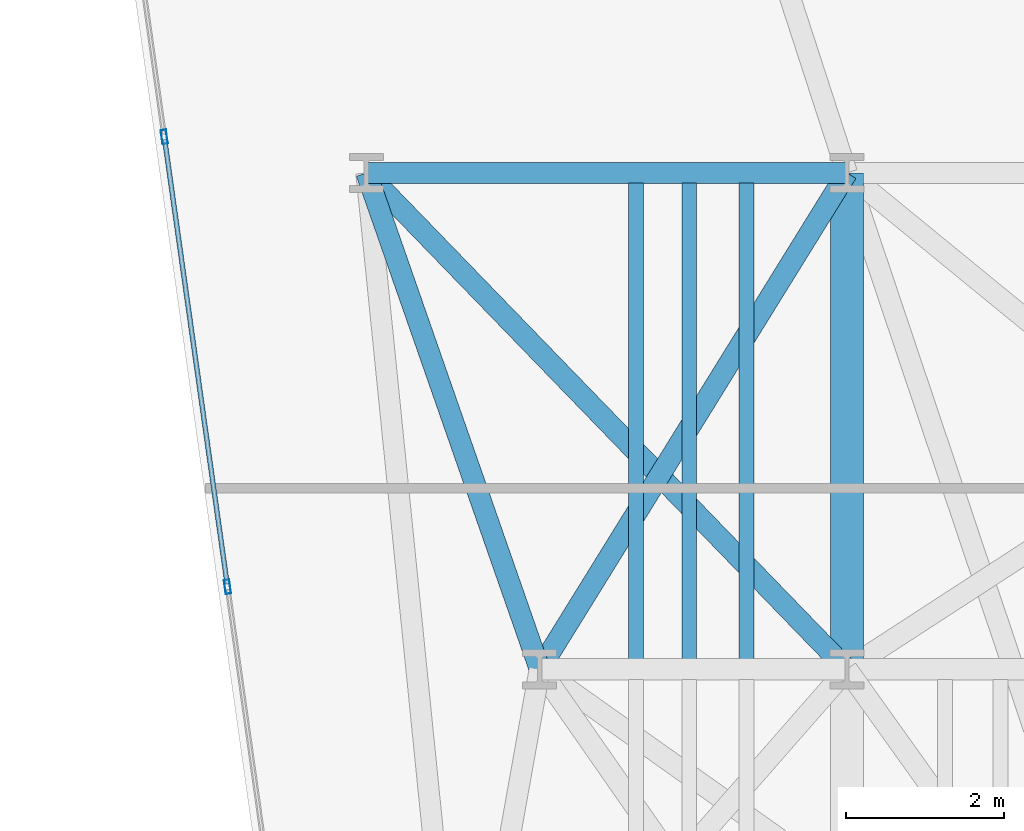
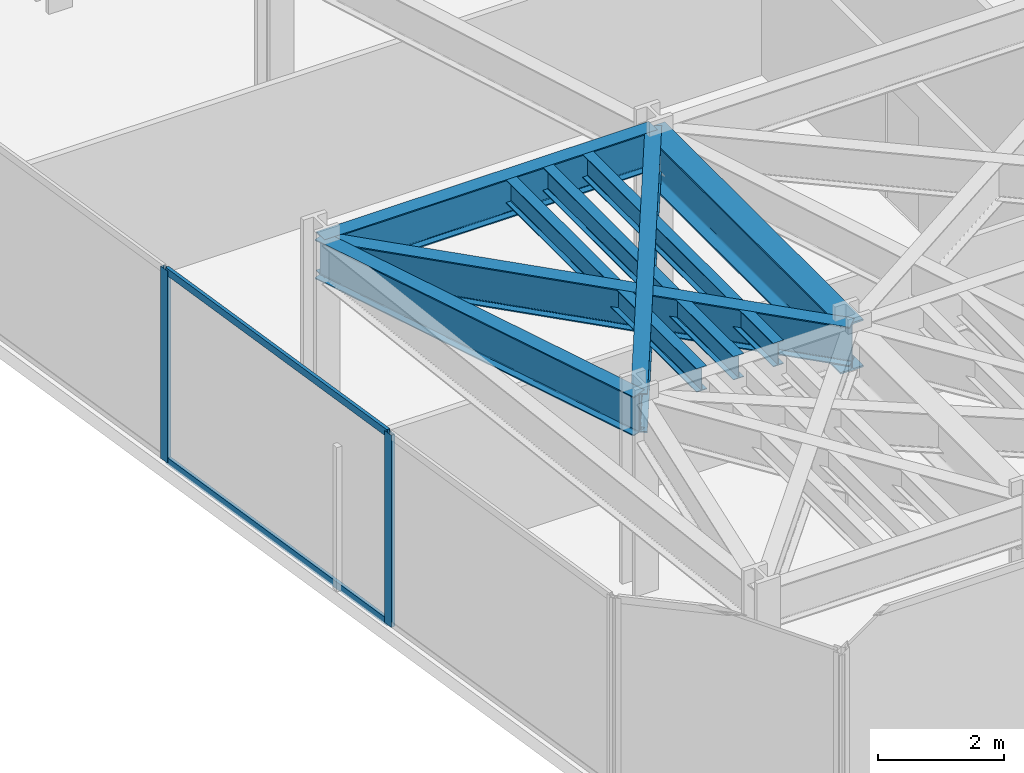
# One storey, part 4 of 25: 8 beams, 4 members, 1 element without a shape of its own.
"""IFC4 building model written with IfcOpenShell, lengths in metres."""

import ifcopenshell
import ifcopenshell.guid

model = None  # the IFC model being written
_history = None  # IfcOwnerHistory: only IFC2X3 demands one
_inside = {}  # id of a spatial element -> (the spatial element, [elements in it])
_under = {}  # id of a project, library or spatial element -> (it, [spatial elements below it])
_declared = {}  # id of a project -> (the project, [libraries it declares])
_typed = {}  # id of a type object -> (the type object, [elements of that type])
_made_of = {}  # id of a material, layer set ... -> (it, [elements and type objects made of it])


def new_model(schema):
    """Start an empty IFC model of exactly this schema.

    Asked for "IFC4X3", IfcOpenShell would pick the latest addendum, in which some entities
    have other attributes; the version numbers below select the first issue.
    IFC2X3 requires an IfcOwnerHistory on every rooted entity: one is made here for all.
    """
    global model, _history
    if schema == "IFC4X3":
        model = ifcopenshell.file(schema_version=(4, 3, 0, 0))
    else:
        model = ifcopenshell.file(schema=schema)
    _inside.clear()
    _under.clear()
    _declared.clear()
    _typed.clear()
    _made_of.clear()
    _history = None
    if model.schema == "IFC2X3":
        org = make("IfcOrganization", Name="unknown")
        user = make(
            "IfcPersonAndOrganization",
            ThePerson=make("IfcPerson", FamilyName="unknown"),
            TheOrganization=org,
        )
        app = make(
            "IfcApplication",
            ApplicationDeveloper=org,
            Version="unknown",
            ApplicationFullName="unknown",
            ApplicationIdentifier="unknown",
        )
        _history = make(
            "IfcOwnerHistory",
            OwningUser=user,
            OwningApplication=app,
            ChangeAction="ADDED",
            CreationDate=0,
        )
    return model


def make(cls, **values):
    """One entity of the class cls with the attributes given. An attribute that is None is left unset."""
    return model.create_entity(
        cls, **{name: value for name, value in values.items() if value is not None}
    )


def rooted(cls, **values):
    """An entity with a GlobalId (a new one), such as an element, a storey or a relation."""
    return make(cls, GlobalId=ifcopenshell.guid.new(), OwnerHistory=_history, **values)


def si_unit(unit_type, name, prefix=None):
    """IfcSIUnit, for example si_unit("LENGTHUNIT", "METRE", prefix="MILLI")."""
    return make("IfcSIUnit", UnitType=unit_type, Prefix=prefix, Name=name)


def assignment(units):
    """IfcUnitAssignment: the units of a project."""
    return None if units is None else make("IfcUnitAssignment", Units=units)


def point(xyz):
    """IfcCartesianPoint."""
    return None if xyz is None else make("IfcCartesianPoint", Coordinates=xyz)


def direction(xyz):
    """IfcDirection."""
    return None if xyz is None else make("IfcDirection", DirectionRatios=xyz)


def frame(location, z_axis=None, x_axis=None):
    """IfcAxis2Placement3D, a coordinate frame: its origin and axes. An axis left out is left unset."""
    return make(
        "IfcAxis2Placement3D",
        Location=point(location),
        Axis=direction(z_axis),
        RefDirection=direction(x_axis),
    )


def frame_2d(location, x_axis=None):
    """IfcAxis2Placement2D, a coordinate frame in the plane: its origin and x axis."""
    return make(
        "IfcAxis2Placement2D", Location=point(location), RefDirection=direction(x_axis)
    )


def origin():
    """The frame at (0, 0, 0) with its axes left unset."""
    return frame((0.0, 0.0, 0.0))


def origin_2d():
    """The frame at (0, 0) in the plane with its x axis left unset."""
    return frame_2d((0.0, 0.0))


def place(relative_to, where):
    """IfcLocalPlacement: puts the frame where relative to a parent placement (None: the world)."""
    return make(
        "IfcLocalPlacement", PlacementRelTo=relative_to, RelativePlacement=where
    )


def context(
    kind, dimensions, precision=None, world=None, true_north=None, identifier=None
):
    """IfcGeometricRepresentationContext, for example the 3D "Model" context."""
    return make(
        "IfcGeometricRepresentationContext",
        ContextIdentifier=identifier,
        ContextType=kind,
        CoordinateSpaceDimension=dimensions,
        Precision=precision,
        WorldCoordinateSystem=world,
        TrueNorth=true_north,
    )


def subcontext(parent, identifier, kind, view, scale=None):
    """IfcGeometricRepresentationSubContext, for example "Body" below "Model"."""
    return make(
        "IfcGeometricRepresentationSubContext",
        ContextIdentifier=identifier,
        ContextType=kind,
        ParentContext=parent,
        TargetScale=scale,
        TargetView=view,
    )


def project(units=None, contexts=None):
    """IfcProject with its units and contexts."""
    return rooted(
        "IfcProject",
        Name="project",
        RepresentationContexts=contexts,
        UnitsInContext=assignment(units),
    )


def spatial(cls, under=None, at=None, **own):
    """A site, building, storey or space (cls), placed at a placement, below another one or the project."""
    s = rooted(cls, ObjectPlacement=at, **own)
    if under is not None:
        _under.setdefault(under.id(), (under, []))[1].append(s)
    return s


def profile(cls, at=None, kind="AREA", **sizes):
    """A parametric profile (cls). Its sizes go by their IFC names, for example OverallWidth=200.0."""
    return make(cls, ProfileType=kind, Position=at, **sizes)


def hollow_rectangle(**sizes):
    """IfcRectangleHollowProfileDef."""
    return profile("IfcRectangleHollowProfileDef", **sizes)


def i_section(**sizes):
    """IfcIShapeProfileDef."""
    return profile("IfcIShapeProfileDef", **sizes)


def extrude(swept, where, along, depth):
    """IfcExtrudedAreaSolid: the profile swept, set in the frame where, extruded along a direction by depth."""
    return make(
        "IfcExtrudedAreaSolid",
        SweptArea=swept,
        Position=where,
        ExtrudedDirection=direction(along),
        Depth=depth,
    )


def shape(context_of_items, identifier, shape_type, items):
    """IfcShapeRepresentation: the items that make up one representation, for example the "Body"."""
    return make(
        "IfcShapeRepresentation",
        ContextOfItems=context_of_items,
        RepresentationIdentifier=identifier,
        RepresentationType=shape_type,
        Items=items,
    )


def material(Name=None, Category=None):
    """IfcMaterial."""
    return make("IfcMaterial", Name=Name, Category=Category)


def layer(
    of_material, thickness, ventilated=None, Name=None, Category=None, Priority=None
):
    """IfcMaterialLayer: one layer of a wall or slab, of a material (None: an air gap)."""
    return make(
        "IfcMaterialLayer",
        Material=of_material,
        LayerThickness=thickness,
        IsVentilated=ventilated,
        Name=Name,
        Category=Category,
        Priority=Priority,
    )


def layer_set(layers, Name=None):
    """IfcMaterialLayerSet."""
    return make("IfcMaterialLayerSet", MaterialLayers=layers, LayerSetName=Name)


def material_profile(
    of_material, cross_section, Name=None, Category=None, Priority=None
):
    """IfcMaterialProfile: a cross section and its material."""
    return make(
        "IfcMaterialProfile",
        Name=Name,
        Material=of_material,
        Profile=cross_section,
        Priority=Priority,
        Category=Category,
    )


def profile_set(profiles, Name=None, composite=None):
    """IfcMaterialProfileSet."""
    return make(
        "IfcMaterialProfileSet",
        Name=Name,
        MaterialProfiles=profiles,
        CompositeProfile=composite,
    )


def made_of(thing, what):
    """Note that an element or type object is made of a material, layer set ...; save() writes the relation."""
    if what is not None:
        _made_of.setdefault(what.id(), (what, []))[1].append(thing)
    return thing


def type_object(cls, material=None, **own):
    """A type object (cls), such as IfcWallType, which elements share."""
    return made_of(rooted(cls, **own), material)


def element(
    cls,
    number,
    at=None,
    inside=None,
    cuts=None,
    type_object=None,
    material=None,
    context=None,
    identifier="Body",
    shape_type=None,
    held_by="IfcProductDefinitionShape",
    body=None,
    shapes=None,
    **own,
):
    """One element of the class cls, such as IfcWall. Its Tag is "e" and its number.

    at: its placement. inside: the storey or other place that contains it. cuts: it is an
    opening in that element (IfcRelVoidsElement). A single representation is given by context,
    identifier, shape_type and body (its items); several are given by shapes. held_by: the class
    of the entity that holds the representations. save() writes the other relations.
    """
    e = rooted(cls, Tag="e%d" % number, ObjectPlacement=at, **own)
    if body is not None:
        shapes = [shape(context, identifier, shape_type, body)]
    if shapes is not None:
        e.Representation = make(held_by, Representations=shapes)
    if inside is not None:
        _inside.setdefault(inside.id(), (inside, []))[1].append(e)
    if cuts is not None:
        rooted(
            "IfcRelVoidsElement", RelatingBuildingElement=cuts, RelatedOpeningElement=e
        )
    if type_object is not None:
        _typed.setdefault(type_object.id(), (type_object, []))[1].append(e)
    return made_of(e, material)


def aggregate(whole, parts):
    """IfcRelAggregates: a whole, such as a stair, and the parts it consists of."""
    return rooted("IfcRelAggregates", RelatingObject=whole, RelatedObjects=parts)


def save(model, path):
    """Write the relations noted so far, then the file.

    IfcRelAggregates (storeys below a building ...), IfcRelContainedInSpatialStructure (elements
    in a storey), IfcRelDefinesByType, IfcRelAssociatesMaterial and IfcRelDeclares: one each for
    every whole, place, type object, material and project.
    """
    for whole, parts in _under.values():
        aggregate(whole, parts)
    for where, things in _inside.values():
        rooted(
            "IfcRelContainedInSpatialStructure",
            RelatedElements=things,
            RelatingStructure=where,
        )
    for kind, things in _typed.values():
        rooted("IfcRelDefinesByType", RelatedObjects=things, RelatingType=kind)
    for what, things in _made_of.values():
        rooted("IfcRelAssociatesMaterial", RelatedObjects=things, RelatingMaterial=what)
    for by, libraries in _declared.values():
        rooted("IfcRelDeclares", RelatingContext=by, RelatedDefinitions=libraries)
    model.write(path)


model = new_model("IFC4")

# Units and contexts
model_context = context("Model", 3, precision=1e-05, world=origin(), true_north=direction((0.0, 1.0)))
body_context = subcontext(model_context, "Body", "Model", "MODEL_VIEW")
ifc_project = project(units=[si_unit("LENGTHUNIT", "METRE"), si_unit("AREAUNIT", "SQUARE_METRE"), si_unit("VOLUMEUNIT", "CUBIC_METRE"), si_unit("PLANEANGLEUNIT", "RADIAN"), si_unit("MASSUNIT", "GRAM", prefix="KILO")], contexts=[model_context])

# Site, building, storey
site_placement = place(None, origin())
site = spatial("IfcSite", under=ifc_project, at=site_placement, CompositionType="ELEMENT")
building_placement = place(site_placement, origin())
building = spatial("IfcBuilding", under=site, at=building_placement, Name="Kravanh Interchange Tower", CompositionType="ELEMENT")
storey_placement = place(building_placement, frame((0.0, 0.0, 81.5)))
storey = spatial("IfcBuildingStorey", under=building, at=storey_placement, Name="L19", CompositionType="ELEMENT", Elevation=81.5)

# Curtain wall, members
ifc_material_1 = material(Name="Anodised Bronze Aluminium", Category="aluminium")
ifc_layer = layer(ifc_material_1, 0.179931640625)
ifc_layer_set = layer_set([ifc_layer], Name="Unitised Curtain Wall System CW-Z1 Lower Office")
curtain_wall_type = type_object("IfcCurtainWallType", Name="Unitised Curtain Wall System CW-Z1 Lower Office", PredefinedType="NOTDEFINED", material=ifc_layer_set)
curtain_wall_placement = place(storey_placement, origin())
curtain_wall = element("IfcCurtainWall", 1, at=curtain_wall_placement, inside=storey, type_object=curtain_wall_type, Name="L19 Unitised Curtain Wall CW-L19-01", PredefinedType="NOTDEFINED")
ifc_material_2 = material(Name="Anodised Bronze Aluminium", Category="aluminium")
ifc_material_profile_1 = material_profile(ifc_material_2, hollow_rectangle(XDim=0.070068359375, YDim=0.179931640625, WallThickness=0.00390625, at=origin_2d()), Name="ALU70X180X4")
ifc_profile_set_1 = profile_set([ifc_material_profile_1], Name="Anodised Bronze Aluminium")
member_type_1 = type_object("IfcMemberType", Name="Curtain Wall Mullion ALU70X180X4 Bronze", PredefinedType="MULLION", material=ifc_profile_set_1)
member_1_placement = place(storey_placement, frame((9.6376953125, 9.247314453125, 0.0), z_axis=(0.0, 0.0, 1.0), x_axis=(-0.990267585682, -0.139176538065, 0.0)))
member_1 = element("IfcMember", 2, at=member_1_placement, type_object=member_type_1, Name="CW-Z1 mullion 2", PredefinedType="MULLION", context=body_context, shape_type="SweptSolid", body=[
    extrude(hollow_rectangle(XDim=0.070068359375, YDim=0.179931640625, WallThickness=0.00390625, at=origin_2d()), origin(), (0.0, 0.0, 1.0), 3.719970703125),
])
member_2_placement = place(storey_placement, frame((8.835205078125, 14.957763671875, 0.0), z_axis=(0.0, 0.0, 1.0), x_axis=(-0.990267585682, -0.139176538065, 0.0)))
member_2 = element("IfcMember", 3, at=member_2_placement, type_object=member_type_1, Name="CW-Z1 mullion 3", PredefinedType="MULLION", context=body_context, shape_type="SweptSolid", body=[
    extrude(hollow_rectangle(XDim=0.070068359375, YDim=0.179931640625, WallThickness=0.00390625, at=origin_2d()), origin(), (0.0, 0.0, 1.0), 3.719970703125),
])
ifc_material_3 = material(Name="Anodised Bronze Aluminium", Category="aluminium")
ifc_material_profile_2 = material_profile(ifc_material_3, hollow_rectangle(XDim=0.06005859375, YDim=0.139892578125, WallThickness=0.00390625, at=origin_2d()), Name="ALU60X140X4")
ifc_profile_set_2 = profile_set([ifc_material_profile_2], Name="Anodised Bronze Aluminium")
member_type_2 = type_object("IfcMemberType", Name="Curtain Wall Transom ALU60X140X4 Bronze", PredefinedType="USERDEFINED", material=ifc_profile_set_2)
member_3_placement = place(storey_placement, frame((9.633056640625, 9.281982421875, 0.030029296875), z_axis=(-0.139200984921, 0.990264149506, 0.0), x_axis=(-0.990264149506, -0.139200984921, 0.0)))
member_3 = element("IfcMember", 4, at=member_3_placement, type_object=member_type_2, Name="CW-Z1 transom 2.1", ObjectType="TRANSOM", PredefinedType="USERDEFINED", context=body_context, shape_type="SweptSolid", body=[
    extrude(hollow_rectangle(XDim=0.06005859375, YDim=0.139892578125, WallThickness=0.00390625, at=origin_2d()), origin(), (0.0, 0.0, 1.0), 5.696533203125),
])
member_4_placement = place(storey_placement, frame((9.633056640625, 9.281982421875, 3.68994140625), z_axis=(-0.139200984921, 0.990264149506, 0.0), x_axis=(-0.990264149506, -0.139200984921, 0.0)))
member_4 = element("IfcMember", 5, at=member_4_placement, type_object=member_type_2, Name="CW-Z1 transom 2.2", ObjectType="TRANSOM", PredefinedType="USERDEFINED", context=body_context, shape_type="SweptSolid", body=[
    extrude(hollow_rectangle(XDim=0.06005859375, YDim=0.139892578125, WallThickness=0.00390625, at=origin_2d()), origin(), (0.0, 0.0, 1.0), 5.696533203125),
])
aggregate(curtain_wall, [member_1, member_2, member_3, member_4])

# Beams
ifc_material_4 = material(Name="Structural Steel S355", Category="steel")
ifc_material_profile_3 = material_profile(ifc_material_4, i_section(OverallWidth=0.41796875, OverallDepth=0.927001953125, WebThickness=0.019287109375, FlangeThickness=0.031982421875, FilletRadius=0.028076171875, at=origin_2d()), Name="W36X231")
ifc_profile_set_3 = profile_set([ifc_material_profile_3], Name="Structural Steel S355")
beam_type_1 = type_object("IfcBeamType", Name="Floor Beam W36X231 Structural Steel S355", PredefinedType="BEAM", material=ifc_profile_set_3)
beam_1_placement = place(storey_placement, frame((17.5, 8.199951171875, 3.256591796875), z_axis=(0.0, 1.0, 0.0), x_axis=(-1.0, 0.0, 0.0)))
element("IfcBeam", 6, at=beam_1_placement, inside=storey, type_object=beam_type_1, Name="L19 Primary Floor Girder 136", PredefinedType="BEAM", context=body_context, shape_type="SweptSolid", body=[
    extrude(i_section(OverallWidth=0.41796875, OverallDepth=0.927001953125, WebThickness=0.019287109375, FlangeThickness=0.031982421875, FilletRadius=0.028076171875, at=origin_2d()), origin(), (0.0, 0.0, 1.0), 6.300048828125),
])
ifc_material_5 = material(Name="Structural Steel S355", Category="steel")
ifc_material_profile_4 = material_profile(ifc_material_5, i_section(OverallWidth=0.18994140625, OverallDepth=0.45703125, WebThickness=0.009033203125, FlangeThickness=0.014404296875, FilletRadius=0.01806640625, at=origin_2d()), Name="W18X50")
ifc_profile_set_4 = profile_set([ifc_material_profile_4], Name="Structural Steel S355")
beam_type_2 = type_object("IfcBeamType", Name="Floor Joist W18X50 Structural Steel S355", PredefinedType="JOIST", material=ifc_profile_set_4)
for number, where, z_axis, x_axis, name in (
    (7, (14.822021484375, 8.32861328125, 3.491455078125), (0.0, 1.0, 0.0), (-1.0, 0.0, 0.0), "L19 Secondary Floor Joist 10"),
    (8, (15.498046875, 8.32861328125, 3.491455078125), (0.0, 1.0, 0.0), (-1.0, 0.0, 0.0), "L19 Secondary Floor Joist 11"),
    (9, (16.22607421875, 8.32861328125, 3.491455078125), (0.0, 1.0, 0.0), (-1.0, 0.0, 0.0), "L19 Secondary Floor Joist 12"),
):
    element("IfcBeam", number, at=place(storey_placement, frame(where, z_axis=z_axis, x_axis=x_axis)), inside=storey, type_object=beam_type_2, Name=name, PredefinedType="JOIST", context=body_context, shape_type="SweptSolid", body=[
        extrude(i_section(OverallWidth=0.18994140625, OverallDepth=0.45703125, WebThickness=0.009033203125, FlangeThickness=0.014404296875, FilletRadius=0.01806640625, at=origin_2d()), origin(), (0.0, 0.0, 1.0), 6.04296875),
    ])
ifc_material_6 = material(Name="Structural Steel S355", Category="steel")
ifc_material_profile_5 = material_profile(ifc_material_6, i_section(OverallWidth=0.26708984375, OverallDepth=0.761962890625, WebThickness=0.014404296875, FlangeThickness=0.021484375, FilletRadius=0.02490234375, at=origin_2d()), Name="W30X116")
ifc_profile_set_5 = profile_set([ifc_material_profile_5], Name="Structural Steel S355")
beam_type_3 = type_object("IfcBeamType", Name="Floor Spandrel W30X116 Structural Steel S355", PredefinedType="SPANDREL", material=ifc_profile_set_5)
beam_2_placement = place(storey_placement, frame((13.60009765625, 8.199951171875, 3.339111328125), z_axis=(-0.329706642337, 0.944083433812, 0.0), x_axis=(-0.944083433812, -0.329706642337, 0.0)))
element("IfcBeam", 10, at=beam_2_placement, inside=storey, type_object=beam_type_3, Name="L19 Perimeter Spandrel 134", PredefinedType="SPANDREL", context=body_context, shape_type="SweptSolid", body=[
    extrude(i_section(OverallWidth=0.26708984375, OverallDepth=0.761962890625, WebThickness=0.014404296875, FlangeThickness=0.021484375, FilletRadius=0.02490234375, at=origin_2d()), origin(), (0.0, 0.0, 1.0), 6.673095703125),
])
beam_3_placement = place(storey_placement, frame((13.60009765625, 8.199951171875, 3.339111328125), z_axis=(0.5263421368, 0.850272870923, 0.0), x_axis=(-0.850272870923, 0.5263421368, 0.0)))
element("IfcBeam", 11, at=beam_3_placement, inside=storey, type_object=beam_type_3, Name="L19 Perimeter Spandrel 135", PredefinedType="SPANDREL", context=body_context, shape_type="SweptSolid", body=[
    extrude(i_section(OverallWidth=0.26708984375, OverallDepth=0.761962890625, WebThickness=0.014404296875, FlangeThickness=0.021484375, FilletRadius=0.02490234375, at=origin_2d()), origin(), (0.0, 0.0, 1.0), 7.409423828125),
])
beam_4_placement = place(storey_placement, frame((17.5, 8.199951171875, 3.339111328125), z_axis=(-0.695614323867, 0.718415417729, 0.0), x_axis=(-0.718415417729, -0.695614323867, 0.0)))
element("IfcBeam", 12, at=beam_4_placement, inside=storey, type_object=beam_type_3, Name="L19 Perimeter Spandrel 138", PredefinedType="SPANDREL", context=body_context, shape_type="SweptSolid", body=[
    extrude(i_section(OverallWidth=0.26708984375, OverallDepth=0.761962890625, WebThickness=0.014404296875, FlangeThickness=0.021484375, FilletRadius=0.02490234375, at=origin_2d()), origin(), (0.0, 0.0, 1.0), 8.769287109375),
])
beam_5_placement = place(storey_placement, frame((11.39990234375, 14.5, 3.339111328125), z_axis=(1.0, 0.0, 0.0), x_axis=(0.0, 1.0, 0.0)))
element("IfcBeam", 13, at=beam_5_placement, inside=storey, type_object=beam_type_3, Name="L19 Perimeter Spandrel 143", PredefinedType="SPANDREL", context=body_context, shape_type="SweptSolid", body=[
    extrude(i_section(OverallWidth=0.26708984375, OverallDepth=0.761962890625, WebThickness=0.014404296875, FlangeThickness=0.021484375, FilletRadius=0.02490234375, at=origin_2d()), origin(), (0.0, 0.0, 1.0), 6.10009765625),
])

save(model, "model.ifc")
